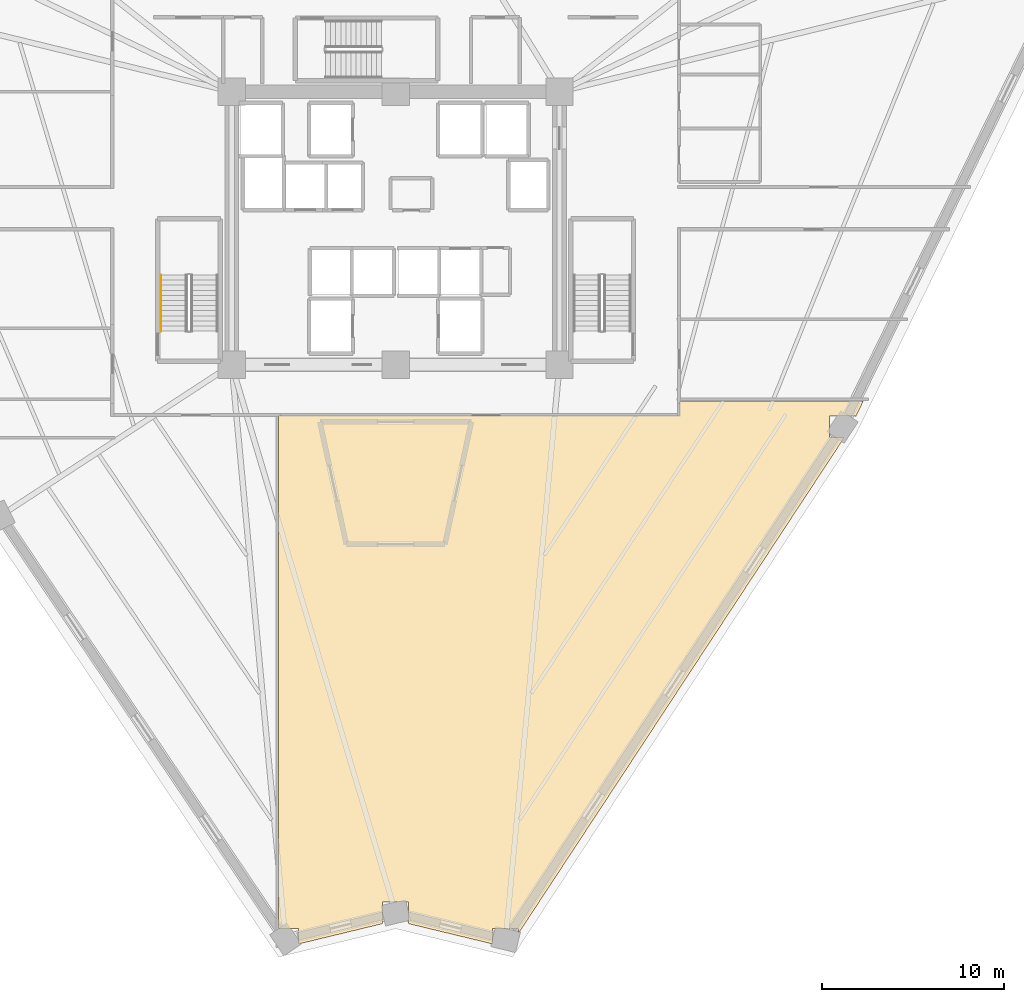
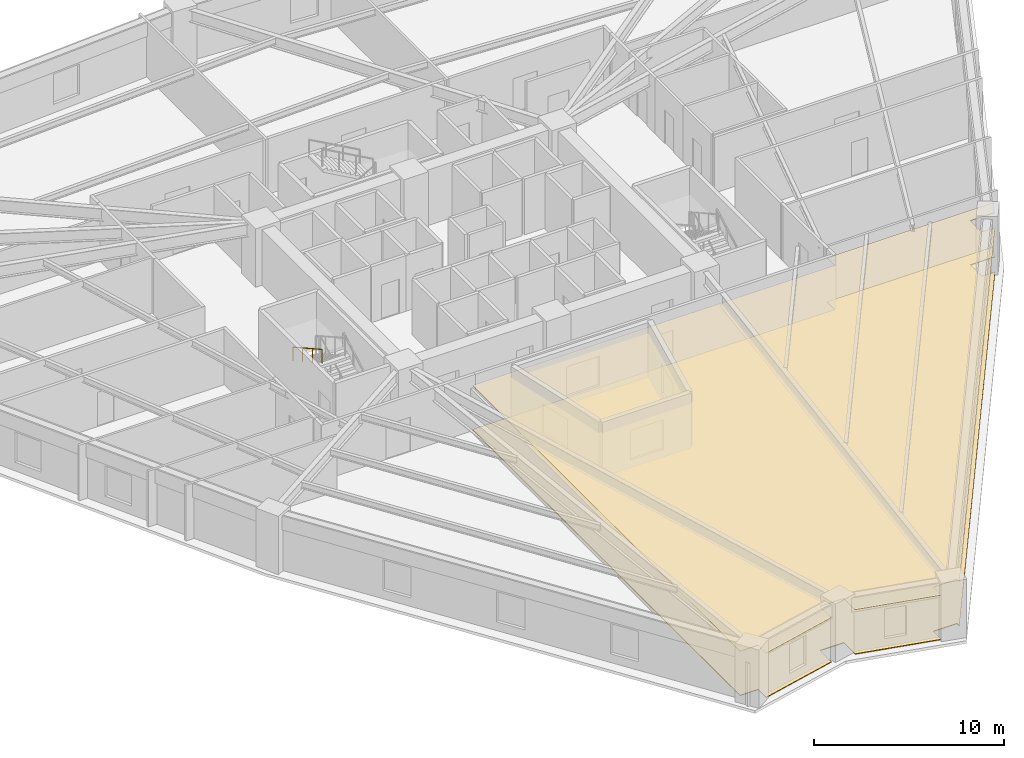
# One storey, part 8 of 9: 2 coverings, 1 railing.
"""IFC4 building model written with IfcOpenShell, lengths in metres."""

import ifcopenshell
import ifcopenshell.guid

model = None  # the IFC model being written
_history = None  # IfcOwnerHistory: only IFC2X3 demands one
_inside = {}  # id of a spatial element -> (the spatial element, [elements in it])
_under = {}  # id of a project, library or spatial element -> (it, [spatial elements below it])
_declared = {}  # id of a project -> (the project, [libraries it declares])
_typed = {}  # id of a type object -> (the type object, [elements of that type])
_made_of = {}  # id of a material, layer set ... -> (it, [elements and type objects made of it])


def new_model(schema):
    """Start an empty IFC model of exactly this schema.

    Asked for "IFC4X3", IfcOpenShell would pick the latest addendum, in which some entities
    have other attributes; the version numbers below select the first issue.
    IFC2X3 requires an IfcOwnerHistory on every rooted entity: one is made here for all.
    """
    global model, _history
    if schema == "IFC4X3":
        model = ifcopenshell.file(schema_version=(4, 3, 0, 0))
    else:
        model = ifcopenshell.file(schema=schema)
    _inside.clear()
    _under.clear()
    _declared.clear()
    _typed.clear()
    _made_of.clear()
    _history = None
    if model.schema == "IFC2X3":
        org = make("IfcOrganization", Name="unknown")
        user = make(
            "IfcPersonAndOrganization",
            ThePerson=make("IfcPerson", FamilyName="unknown"),
            TheOrganization=org,
        )
        app = make(
            "IfcApplication",
            ApplicationDeveloper=org,
            Version="unknown",
            ApplicationFullName="unknown",
            ApplicationIdentifier="unknown",
        )
        _history = make(
            "IfcOwnerHistory",
            OwningUser=user,
            OwningApplication=app,
            ChangeAction="ADDED",
            CreationDate=0,
        )
    return model


def make(cls, **values):
    """One entity of the class cls with the attributes given. An attribute that is None is left unset."""
    return model.create_entity(
        cls, **{name: value for name, value in values.items() if value is not None}
    )


def rooted(cls, **values):
    """An entity with a GlobalId (a new one), such as an element, a storey or a relation."""
    return make(cls, GlobalId=ifcopenshell.guid.new(), OwnerHistory=_history, **values)


def si_unit(unit_type, name, prefix=None):
    """IfcSIUnit, for example si_unit("LENGTHUNIT", "METRE", prefix="MILLI")."""
    return make("IfcSIUnit", UnitType=unit_type, Prefix=prefix, Name=name)


def assignment(units):
    """IfcUnitAssignment: the units of a project."""
    return None if units is None else make("IfcUnitAssignment", Units=units)


def point(xyz):
    """IfcCartesianPoint."""
    return None if xyz is None else make("IfcCartesianPoint", Coordinates=xyz)


def direction(xyz):
    """IfcDirection."""
    return None if xyz is None else make("IfcDirection", DirectionRatios=xyz)


def frame(location, z_axis=None, x_axis=None):
    """IfcAxis2Placement3D, a coordinate frame: its origin and axes. An axis left out is left unset."""
    return make(
        "IfcAxis2Placement3D",
        Location=point(location),
        Axis=direction(z_axis),
        RefDirection=direction(x_axis),
    )


def frame_2d(location, x_axis=None):
    """IfcAxis2Placement2D, a coordinate frame in the plane: its origin and x axis."""
    return make(
        "IfcAxis2Placement2D", Location=point(location), RefDirection=direction(x_axis)
    )


def origin():
    """The frame at (0, 0, 0) with its axes left unset."""
    return frame((0.0, 0.0, 0.0))


def origin_2d():
    """The frame at (0, 0) in the plane with its x axis left unset."""
    return frame_2d((0.0, 0.0))


def place(relative_to, where):
    """IfcLocalPlacement: puts the frame where relative to a parent placement (None: the world)."""
    return make(
        "IfcLocalPlacement", PlacementRelTo=relative_to, RelativePlacement=where
    )


def context(
    kind, dimensions, precision=None, world=None, true_north=None, identifier=None
):
    """IfcGeometricRepresentationContext, for example the 3D "Model" context."""
    return make(
        "IfcGeometricRepresentationContext",
        ContextIdentifier=identifier,
        ContextType=kind,
        CoordinateSpaceDimension=dimensions,
        Precision=precision,
        WorldCoordinateSystem=world,
        TrueNorth=true_north,
    )


def subcontext(parent, identifier, kind, view, scale=None):
    """IfcGeometricRepresentationSubContext, for example "Body" below "Model"."""
    return make(
        "IfcGeometricRepresentationSubContext",
        ContextIdentifier=identifier,
        ContextType=kind,
        ParentContext=parent,
        TargetScale=scale,
        TargetView=view,
    )


def project(units=None, contexts=None):
    """IfcProject with its units and contexts."""
    return rooted(
        "IfcProject",
        Name="project",
        RepresentationContexts=contexts,
        UnitsInContext=assignment(units),
    )


def spatial(cls, under=None, at=None, **own):
    """A site, building, storey or space (cls), placed at a placement, below another one or the project."""
    s = rooted(cls, ObjectPlacement=at, **own)
    if under is not None:
        _under.setdefault(under.id(), (under, []))[1].append(s)
    return s


def polyline(points):
    """IfcPolyline through the points."""
    return make("IfcPolyline", Points=[point(p) for p in points])


def profile(cls, at=None, kind="AREA", **sizes):
    """A parametric profile (cls). Its sizes go by their IFC names, for example OverallWidth=200.0."""
    return make(cls, ProfileType=kind, Position=at, **sizes)


def rectangle(**sizes):
    """IfcRectangleProfileDef."""
    return profile("IfcRectangleProfileDef", **sizes)


def outline(outer, holes=None, kind="AREA"):
    """IfcArbitraryClosedProfileDef: a profile drawn as a closed curve; with holes, ...WithVoids."""
    if holes is None:
        return make("IfcArbitraryClosedProfileDef", ProfileType=kind, OuterCurve=outer)
    return make(
        "IfcArbitraryProfileDefWithVoids",
        ProfileType=kind,
        OuterCurve=outer,
        InnerCurves=holes,
    )


def extrude(swept, where, along, depth):
    """IfcExtrudedAreaSolid: the profile swept, set in the frame where, extruded along a direction by depth."""
    return make(
        "IfcExtrudedAreaSolid",
        SweptArea=swept,
        Position=where,
        ExtrudedDirection=direction(along),
        Depth=depth,
    )


def shape(context_of_items, identifier, shape_type, items):
    """IfcShapeRepresentation: the items that make up one representation, for example the "Body"."""
    return make(
        "IfcShapeRepresentation",
        ContextOfItems=context_of_items,
        RepresentationIdentifier=identifier,
        RepresentationType=shape_type,
        Items=items,
    )


def material(Name=None, Category=None):
    """IfcMaterial."""
    return make("IfcMaterial", Name=Name, Category=Category)


def layer(
    of_material, thickness, ventilated=None, Name=None, Category=None, Priority=None
):
    """IfcMaterialLayer: one layer of a wall or slab, of a material (None: an air gap)."""
    return make(
        "IfcMaterialLayer",
        Material=of_material,
        LayerThickness=thickness,
        IsVentilated=ventilated,
        Name=Name,
        Category=Category,
        Priority=Priority,
    )


def layer_set(layers, Name=None):
    """IfcMaterialLayerSet."""
    return make("IfcMaterialLayerSet", MaterialLayers=layers, LayerSetName=Name)


def made_of(thing, what):
    """Note that an element or type object is made of a material, layer set ...; save() writes the relation."""
    if what is not None:
        _made_of.setdefault(what.id(), (what, []))[1].append(thing)
    return thing


def type_object(cls, material=None, **own):
    """A type object (cls), such as IfcWallType, which elements share."""
    return made_of(rooted(cls, **own), material)


def element(
    cls,
    number,
    at=None,
    inside=None,
    cuts=None,
    type_object=None,
    material=None,
    context=None,
    identifier="Body",
    shape_type=None,
    held_by="IfcProductDefinitionShape",
    body=None,
    shapes=None,
    **own,
):
    """One element of the class cls, such as IfcWall. Its Tag is "e" and its number.

    at: its placement. inside: the storey or other place that contains it. cuts: it is an
    opening in that element (IfcRelVoidsElement). A single representation is given by context,
    identifier, shape_type and body (its items); several are given by shapes. held_by: the class
    of the entity that holds the representations. save() writes the other relations.
    """
    e = rooted(cls, Tag="e%d" % number, ObjectPlacement=at, **own)
    if body is not None:
        shapes = [shape(context, identifier, shape_type, body)]
    if shapes is not None:
        e.Representation = make(held_by, Representations=shapes)
    if inside is not None:
        _inside.setdefault(inside.id(), (inside, []))[1].append(e)
    if cuts is not None:
        rooted(
            "IfcRelVoidsElement", RelatingBuildingElement=cuts, RelatedOpeningElement=e
        )
    if type_object is not None:
        _typed.setdefault(type_object.id(), (type_object, []))[1].append(e)
    return made_of(e, material)


def aggregate(whole, parts):
    """IfcRelAggregates: a whole, such as a stair, and the parts it consists of."""
    return rooted("IfcRelAggregates", RelatingObject=whole, RelatedObjects=parts)


def save(model, path):
    """Write the relations noted so far, then the file.

    IfcRelAggregates (storeys below a building ...), IfcRelContainedInSpatialStructure (elements
    in a storey), IfcRelDefinesByType, IfcRelAssociatesMaterial and IfcRelDeclares: one each for
    every whole, place, type object, material and project.
    """
    for whole, parts in _under.values():
        aggregate(whole, parts)
    for where, things in _inside.values():
        rooted(
            "IfcRelContainedInSpatialStructure",
            RelatedElements=things,
            RelatingStructure=where,
        )
    for kind, things in _typed.values():
        rooted("IfcRelDefinesByType", RelatedObjects=things, RelatingType=kind)
    for what, things in _made_of.values():
        rooted("IfcRelAssociatesMaterial", RelatedObjects=things, RelatingMaterial=what)
    for by, libraries in _declared.values():
        rooted("IfcRelDeclares", RelatingContext=by, RelatedDefinitions=libraries)
    model.write(path)


model = new_model("IFC4")

# Units and contexts
model_context = context("Model", 3, precision=1e-05, world=origin(), true_north=direction((0.0, 1.0)))
body_context = subcontext(model_context, "Body", "Model", "MODEL_VIEW")
ifc_project = project(units=[si_unit("LENGTHUNIT", "METRE"), si_unit("AREAUNIT", "SQUARE_METRE"), si_unit("VOLUMEUNIT", "CUBIC_METRE"), si_unit("PLANEANGLEUNIT", "RADIAN"), si_unit("MASSUNIT", "GRAM", prefix="KILO")], contexts=[model_context])

# Site, building, storey
site_placement = place(None, origin())
site = spatial("IfcSite", under=ifc_project, at=site_placement, CompositionType="ELEMENT")
building_placement = place(site_placement, origin())
building = spatial("IfcBuilding", under=site, at=building_placement, Name="Liaohun Quay Tower", CompositionType="ELEMENT")
storey_placement = place(building_placement, frame((0.0, 0.0, 102.0)))
storey = spatial("IfcBuildingStorey", under=building, at=storey_placement, Name="L26", CompositionType="ELEMENT", Elevation=102.0)

# Coverings
ifc_material_1 = material(Name="Mineral-fibre acoustic ceiling tile")
ifc_layer_1 = layer(ifc_material_1, 0.02490234375, Name="Mineral-fibre acoustic ceiling tile")
ifc_layer_set_1 = layer_set([ifc_layer_1], Name="Mineral-fibre acoustic ceiling tile")
covering_type_1 = type_object("IfcCoveringType", Name="COV-CEIL-ACT", PredefinedType="CEILING", material=ifc_layer_set_1)
covering_1_placement = place(storey_placement, frame((0.0, 0.0, 2.85009765625)))
element("IfcCovering", 1, at=covering_1_placement, inside=storey, type_object=covering_type_1, Name="L26 Open-Plan Office Workplace 10 Acoustic Ceiling", PredefinedType="CEILING", context=body_context, shape_type="SweptSolid", body=[
    extrude(outline(polyline([(75.580078125, 43.719970703125), (53.574951171875, 43.719970703125), (53.574951171875, 15.5458984375), (54.674072265625, 15.5458984375), (54.674072265625, 14.702880859375), (59.281005859375, 15.81591796875), (59.280029296875, 17.006103515625), (60.719970703125, 17.006103515625), (60.718994140625, 15.81591796875), (65.319091796875, 14.705078125), (65.319091796875, 15.548095703125), (66.759033203125, 15.548095703125), (66.759033203125, 15.302001953125), (84.633056640625, 42.5029296875), (83.81298828125, 42.5029296875), (83.81298828125, 43.693115234375), (85.2529296875, 43.693115234375), (85.2529296875, 43.636962890625), (85.68701171875, 44.52490234375), (75.580078125, 44.52490234375), (75.580078125, 43.719970703125)])), origin(), (0.0, 0.0, 1.0), 0.02490234375),
])
ifc_material_2 = material(Name="Calcium-sulphate raised access floor tile")
ifc_layer_2 = layer(ifc_material_2, 0.044921875, Name="Calcium-sulphate raised access floor tile")
ifc_layer_set_2 = layer_set([ifc_layer_2], Name="Calcium-sulphate raised access floor tile")
covering_type_2 = type_object("IfcCoveringType", Name="COV-FLR-RAF", PredefinedType="FLOORING", material=ifc_layer_set_2)
covering_2_placement = place(storey_placement, origin())
element("IfcCovering", 2, at=covering_2_placement, inside=storey, type_object=covering_type_2, Name="L26 Open-Plan Office Workplace 10 Floor Finish", PredefinedType="FLOORING", context=body_context, shape_type="SweptSolid", body=[
    extrude(outline(polyline([(75.580078125, 43.719970703125), (53.574951171875, 43.719970703125), (53.574951171875, 15.5458984375), (54.674072265625, 15.5458984375), (54.674072265625, 14.702880859375), (59.281005859375, 15.81591796875), (59.280029296875, 17.006103515625), (60.719970703125, 17.006103515625), (60.718994140625, 15.81591796875), (65.319091796875, 14.705078125), (65.319091796875, 15.548095703125), (66.759033203125, 15.548095703125), (66.759033203125, 15.302001953125), (84.633056640625, 42.5029296875), (83.81298828125, 42.5029296875), (83.81298828125, 43.693115234375), (85.2529296875, 43.693115234375), (85.2529296875, 43.636962890625), (85.68701171875, 44.52490234375), (75.580078125, 44.52490234375), (75.580078125, 43.719970703125)])), origin(), (0.0, 0.0, 1.0), 0.044921875),
])

# Railing
ifc_material_3 = material(Name="Brushed stainless steel", Category="steel")
railing_type = type_object("IfcRailingType", Name="RLG-HND-STR", PredefinedType="HANDRAIL", material=ifc_material_3)
railing_placement = place(storey_placement, frame((47.1201171875, 51.429931640625, 2.03125)))
element("IfcRailing", 3, at=railing_placement, inside=storey, type_object=railing_type, Name="L26 ST-1 stair handrail 2", PredefinedType="HANDRAIL", context=body_context, shape_type="SweptSolid", body=[
    extrude(rectangle(XDim=0.048095703125, YDim=0.048095703125, at=origin_2d()), frame((0.0, 0.0, 0.8759765625), z_axis=(0.0, -0.873225103656, 0.487317061414), x_axis=(1.0, 0.0, 0.0)), (0.0, 0.0, 1.0), 3.52685546875),
    extrude(rectangle(XDim=0.0419921875, YDim=0.0419921875, at=origin_2d()), origin(), (0.0, 0.0, 1.0), 0.851806640625),
    extrude(rectangle(XDim=0.0419921875, YDim=0.0419921875, at=origin_2d()), frame((0.0, -1.026611328125, 0.572998046875)), (0.0, 0.0, 1.0), 0.851806640625),
    extrude(rectangle(XDim=0.0419921875, YDim=0.0419921875, at=origin_2d()), frame((0.0, -2.05322265625, 1.145751953125)), (0.0, 0.0, 1.0), 0.851806640625),
    extrude(rectangle(XDim=0.0419921875, YDim=0.0419921875, at=origin_2d()), frame((0.0, -3.079833984375, 1.71875)), (0.0, 0.0, 1.0), 0.851806640625),
])

save(model, "model.ifc")
